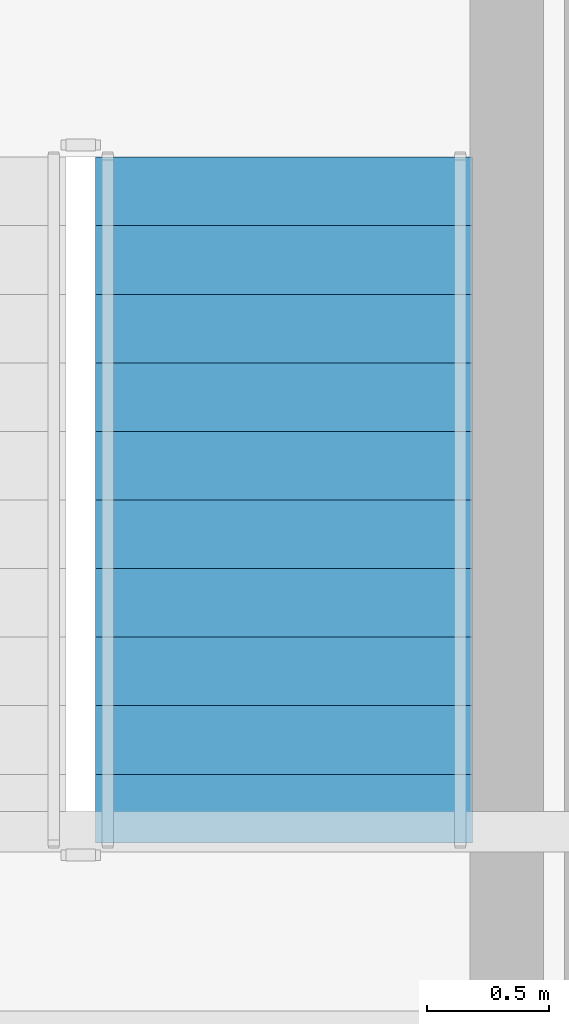
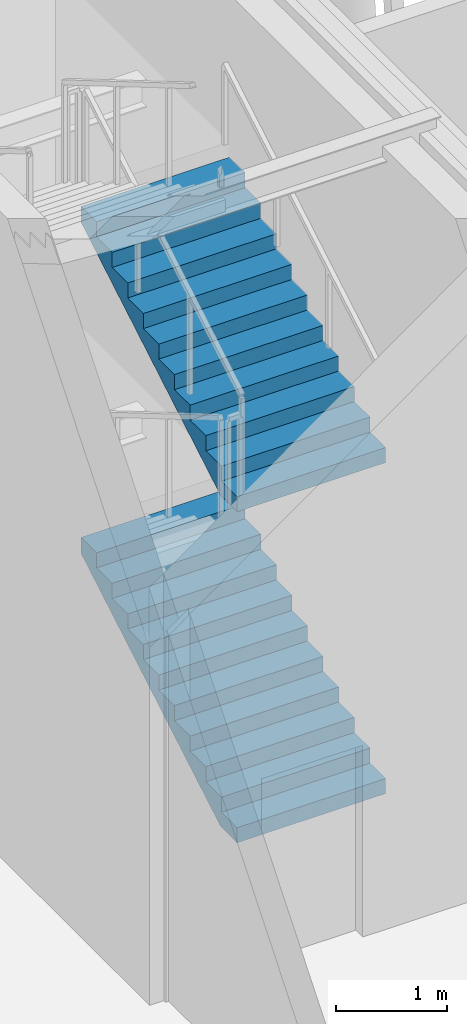
# One storey, part 6 of 9: 2 stair flights, 1 element without a shape of its own.
"""IFC4 building model written with IfcOpenShell, lengths in metres."""

import ifcopenshell
import ifcopenshell.guid

model = None  # the IFC model being written
_history = None  # IfcOwnerHistory: only IFC2X3 demands one
_inside = {}  # id of a spatial element -> (the spatial element, [elements in it])
_under = {}  # id of a project, library or spatial element -> (it, [spatial elements below it])
_declared = {}  # id of a project -> (the project, [libraries it declares])
_typed = {}  # id of a type object -> (the type object, [elements of that type])
_made_of = {}  # id of a material, layer set ... -> (it, [elements and type objects made of it])


def new_model(schema):
    """Start an empty IFC model of exactly this schema.

    Asked for "IFC4X3", IfcOpenShell would pick the latest addendum, in which some entities
    have other attributes; the version numbers below select the first issue.
    IFC2X3 requires an IfcOwnerHistory on every rooted entity: one is made here for all.
    """
    global model, _history
    if schema == "IFC4X3":
        model = ifcopenshell.file(schema_version=(4, 3, 0, 0))
    else:
        model = ifcopenshell.file(schema=schema)
    _inside.clear()
    _under.clear()
    _declared.clear()
    _typed.clear()
    _made_of.clear()
    _history = None
    if model.schema == "IFC2X3":
        org = make("IfcOrganization", Name="unknown")
        user = make(
            "IfcPersonAndOrganization",
            ThePerson=make("IfcPerson", FamilyName="unknown"),
            TheOrganization=org,
        )
        app = make(
            "IfcApplication",
            ApplicationDeveloper=org,
            Version="unknown",
            ApplicationFullName="unknown",
            ApplicationIdentifier="unknown",
        )
        _history = make(
            "IfcOwnerHistory",
            OwningUser=user,
            OwningApplication=app,
            ChangeAction="ADDED",
            CreationDate=0,
        )
    return model


def make(cls, **values):
    """One entity of the class cls with the attributes given. An attribute that is None is left unset."""
    return model.create_entity(
        cls, **{name: value for name, value in values.items() if value is not None}
    )


def rooted(cls, **values):
    """An entity with a GlobalId (a new one), such as an element, a storey or a relation."""
    return make(cls, GlobalId=ifcopenshell.guid.new(), OwnerHistory=_history, **values)


def si_unit(unit_type, name, prefix=None):
    """IfcSIUnit, for example si_unit("LENGTHUNIT", "METRE", prefix="MILLI")."""
    return make("IfcSIUnit", UnitType=unit_type, Prefix=prefix, Name=name)


def assignment(units):
    """IfcUnitAssignment: the units of a project."""
    return None if units is None else make("IfcUnitAssignment", Units=units)


def point(xyz):
    """IfcCartesianPoint."""
    return None if xyz is None else make("IfcCartesianPoint", Coordinates=xyz)


def direction(xyz):
    """IfcDirection."""
    return None if xyz is None else make("IfcDirection", DirectionRatios=xyz)


def frame(location, z_axis=None, x_axis=None):
    """IfcAxis2Placement3D, a coordinate frame: its origin and axes. An axis left out is left unset."""
    return make(
        "IfcAxis2Placement3D",
        Location=point(location),
        Axis=direction(z_axis),
        RefDirection=direction(x_axis),
    )


def origin():
    """The frame at (0, 0, 0) with its axes left unset."""
    return frame((0.0, 0.0, 0.0))


def place(relative_to, where):
    """IfcLocalPlacement: puts the frame where relative to a parent placement (None: the world)."""
    return make(
        "IfcLocalPlacement", PlacementRelTo=relative_to, RelativePlacement=where
    )


def context(
    kind, dimensions, precision=None, world=None, true_north=None, identifier=None
):
    """IfcGeometricRepresentationContext, for example the 3D "Model" context."""
    return make(
        "IfcGeometricRepresentationContext",
        ContextIdentifier=identifier,
        ContextType=kind,
        CoordinateSpaceDimension=dimensions,
        Precision=precision,
        WorldCoordinateSystem=world,
        TrueNorth=true_north,
    )


def subcontext(parent, identifier, kind, view, scale=None):
    """IfcGeometricRepresentationSubContext, for example "Body" below "Model"."""
    return make(
        "IfcGeometricRepresentationSubContext",
        ContextIdentifier=identifier,
        ContextType=kind,
        ParentContext=parent,
        TargetScale=scale,
        TargetView=view,
    )


def project(units=None, contexts=None):
    """IfcProject with its units and contexts."""
    return rooted(
        "IfcProject",
        Name="project",
        RepresentationContexts=contexts,
        UnitsInContext=assignment(units),
    )


def spatial(cls, under=None, at=None, **own):
    """A site, building, storey or space (cls), placed at a placement, below another one or the project."""
    s = rooted(cls, ObjectPlacement=at, **own)
    if under is not None:
        _under.setdefault(under.id(), (under, []))[1].append(s)
    return s


def polyline(points):
    """IfcPolyline through the points."""
    return make("IfcPolyline", Points=[point(p) for p in points])


def outline(outer, holes=None, kind="AREA"):
    """IfcArbitraryClosedProfileDef: a profile drawn as a closed curve; with holes, ...WithVoids."""
    if holes is None:
        return make("IfcArbitraryClosedProfileDef", ProfileType=kind, OuterCurve=outer)
    return make(
        "IfcArbitraryProfileDefWithVoids",
        ProfileType=kind,
        OuterCurve=outer,
        InnerCurves=holes,
    )


def extrude(swept, where, along, depth):
    """IfcExtrudedAreaSolid: the profile swept, set in the frame where, extruded along a direction by depth."""
    return make(
        "IfcExtrudedAreaSolid",
        SweptArea=swept,
        Position=where,
        ExtrudedDirection=direction(along),
        Depth=depth,
    )


def shape(context_of_items, identifier, shape_type, items):
    """IfcShapeRepresentation: the items that make up one representation, for example the "Body"."""
    return make(
        "IfcShapeRepresentation",
        ContextOfItems=context_of_items,
        RepresentationIdentifier=identifier,
        RepresentationType=shape_type,
        Items=items,
    )


def material(Name=None, Category=None):
    """IfcMaterial."""
    return make("IfcMaterial", Name=Name, Category=Category)


def made_of(thing, what):
    """Note that an element or type object is made of a material, layer set ...; save() writes the relation."""
    if what is not None:
        _made_of.setdefault(what.id(), (what, []))[1].append(thing)
    return thing


def type_object(cls, material=None, **own):
    """A type object (cls), such as IfcWallType, which elements share."""
    return made_of(rooted(cls, **own), material)


def element(
    cls,
    number,
    at=None,
    inside=None,
    cuts=None,
    type_object=None,
    material=None,
    context=None,
    identifier="Body",
    shape_type=None,
    held_by="IfcProductDefinitionShape",
    body=None,
    shapes=None,
    **own,
):
    """One element of the class cls, such as IfcWall. Its Tag is "e" and its number.

    at: its placement. inside: the storey or other place that contains it. cuts: it is an
    opening in that element (IfcRelVoidsElement). A single representation is given by context,
    identifier, shape_type and body (its items); several are given by shapes. held_by: the class
    of the entity that holds the representations. save() writes the other relations.
    """
    e = rooted(cls, Tag="e%d" % number, ObjectPlacement=at, **own)
    if body is not None:
        shapes = [shape(context, identifier, shape_type, body)]
    if shapes is not None:
        e.Representation = make(held_by, Representations=shapes)
    if inside is not None:
        _inside.setdefault(inside.id(), (inside, []))[1].append(e)
    if cuts is not None:
        rooted(
            "IfcRelVoidsElement", RelatingBuildingElement=cuts, RelatedOpeningElement=e
        )
    if type_object is not None:
        _typed.setdefault(type_object.id(), (type_object, []))[1].append(e)
    return made_of(e, material)


def aggregate(whole, parts):
    """IfcRelAggregates: a whole, such as a stair, and the parts it consists of."""
    return rooted("IfcRelAggregates", RelatingObject=whole, RelatedObjects=parts)


def save(model, path):
    """Write the relations noted so far, then the file.

    IfcRelAggregates (storeys below a building ...), IfcRelContainedInSpatialStructure (elements
    in a storey), IfcRelDefinesByType, IfcRelAssociatesMaterial and IfcRelDeclares: one each for
    every whole, place, type object, material and project.
    """
    for whole, parts in _under.values():
        aggregate(whole, parts)
    for where, things in _inside.values():
        rooted(
            "IfcRelContainedInSpatialStructure",
            RelatedElements=things,
            RelatingStructure=where,
        )
    for kind, things in _typed.values():
        rooted("IfcRelDefinesByType", RelatedObjects=things, RelatingType=kind)
    for what, things in _made_of.values():
        rooted("IfcRelAssociatesMaterial", RelatedObjects=things, RelatingMaterial=what)
    for by, libraries in _declared.values():
        rooted("IfcRelDeclares", RelatingContext=by, RelatedDefinitions=libraries)
    model.write(path)


model = new_model("IFC4")

# Units and contexts
model_context = context("Model", 3, precision=1e-05, world=origin(), true_north=direction((0.0, 1.0)))
body_context = subcontext(model_context, "Body", "Model", "MODEL_VIEW")
ifc_project = project(units=[si_unit("LENGTHUNIT", "METRE"), si_unit("AREAUNIT", "SQUARE_METRE"), si_unit("VOLUMEUNIT", "CUBIC_METRE"), si_unit("PLANEANGLEUNIT", "RADIAN"), si_unit("MASSUNIT", "GRAM", prefix="KILO")], contexts=[model_context])

# Site, building, storey
site_placement = place(None, origin())
site = spatial("IfcSite", under=ifc_project, at=site_placement, CompositionType="ELEMENT")
building_placement = place(site_placement, origin())
building = spatial("IfcBuilding", under=site, at=building_placement, Name="Vantalir Tower", CompositionType="ELEMENT")
storey_placement = place(building_placement, frame((0.0, 0.0, 311.75)))
storey = spatial("IfcBuildingStorey", under=building, at=storey_placement, Name="L77", CompositionType="ELEMENT", Elevation=311.75)

# Stair, stair flights
ifc_material = material(Name="Concrete C40/50", Category="concrete")
stair_type = type_object("IfcStairType", Name="STR-CORE-1450", PredefinedType="HALF_TURN_STAIR", material=ifc_material)
stair_placement = place(storey_placement, origin())
stair = element("IfcStair", 1, at=stair_placement, inside=storey, type_object=stair_type, Name="L77 Core Exit Stair 2", PredefinedType="HALF_TURN_STAIR")
stair_flight_type = type_object("IfcStairFlightType", Name="FLT-CORE-1450", PredefinedType="STRAIGHT", material=ifc_material)
stair_flight_1_placement = place(storey_placement, frame((39.780029296875, 22.7900390625, 0.0), z_axis=(0.0, 0.0, 1.0), x_axis=(0.0, 1.0, 0.0)))
stair_flight_1 = element("IfcStairFlight", 2, at=stair_flight_1_placement, type_object=stair_flight_type, Name="ST2 flight 1", NumberOfRisers=11, NumberOfTreads=10, PredefinedType="STRAIGHT", RiserHeight=0.164772727, TreadLength=0.28, context=body_context, shape_type="SweptSolid", body=[
    extrude(outline(polyline([(0.0, 0.0), (0.0, 0.164794921875), (0.280029296875, 0.164794921875), (0.280029296875, 0.32958984375), (0.56005859375, 0.32958984375), (0.56005859375, 0.494384765625), (0.840087890625, 0.494384765625), (0.840087890625, 0.6591796875), (1.1201171875, 0.6591796875), (1.1201171875, 0.823974609375), (1.39990234375, 0.823974609375), (1.39990234375, 0.988525390625), (1.679931640625, 0.988525390625), (1.679931640625, 1.1533203125), (1.9599609375, 1.1533203125), (1.9599609375, 1.318115234375), (2.239990234375, 1.318115234375), (2.239990234375, 1.48291015625), (2.52001953125, 1.48291015625), (2.52001953125, 1.647705078125), (2.800048828125, 1.647705078125), (2.800048828125, 1.8125), (2.800048828125, 1.473876953125), (0.295654296875, 0.0), (0.0, 0.0)])), frame((0.0, 0.77001953125, 0.0), z_axis=(0.0, -1.0, 0.0), x_axis=(1.0, 0.0, 0.0)), (0.0, 0.0, 1.0), 1.5400390625),
])
stair_flight_2_placement = place(storey_placement, frame((39.780029296875, 22.7900390625, 3.625), z_axis=(0.0, 0.0, 1.0), x_axis=(0.0, 1.0, 0.0)))
stair_flight_2 = element("IfcStairFlight", 3, at=stair_flight_2_placement, type_object=stair_flight_type, Name="ST2 flight 3", NumberOfRisers=11, NumberOfTreads=10, PredefinedType="STRAIGHT", RiserHeight=0.164772727, TreadLength=0.28, context=body_context, shape_type="SweptSolid", body=[
    extrude(outline(polyline([(0.0, 0.0), (0.0, 0.164794921875), (0.280029296875, 0.164794921875), (0.280029296875, 0.32958984375), (0.56005859375, 0.32958984375), (0.56005859375, 0.494384765625), (0.840087890625, 0.494384765625), (0.840087890625, 0.6591796875), (1.1201171875, 0.6591796875), (1.1201171875, 0.823974609375), (1.39990234375, 0.823974609375), (1.39990234375, 0.988525390625), (1.679931640625, 0.988525390625), (1.679931640625, 1.1533203125), (1.9599609375, 1.1533203125), (1.9599609375, 1.318115234375), (2.239990234375, 1.318115234375), (2.239990234375, 1.48291015625), (2.52001953125, 1.48291015625), (2.52001953125, 1.647705078125), (2.800048828125, 1.647705078125), (2.800048828125, 1.8125), (2.800048828125, 1.473876953125), (0.295654296875, 0.0), (0.0, 0.0)])), frame((0.0, 0.77001953125, 0.0), z_axis=(0.0, -1.0, 0.0), x_axis=(1.0, 0.0, 0.0)), (0.0, 0.0, 1.0), 1.5400390625),
])
aggregate(stair, [stair_flight_1, stair_flight_2])

save(model, "model.ifc")
